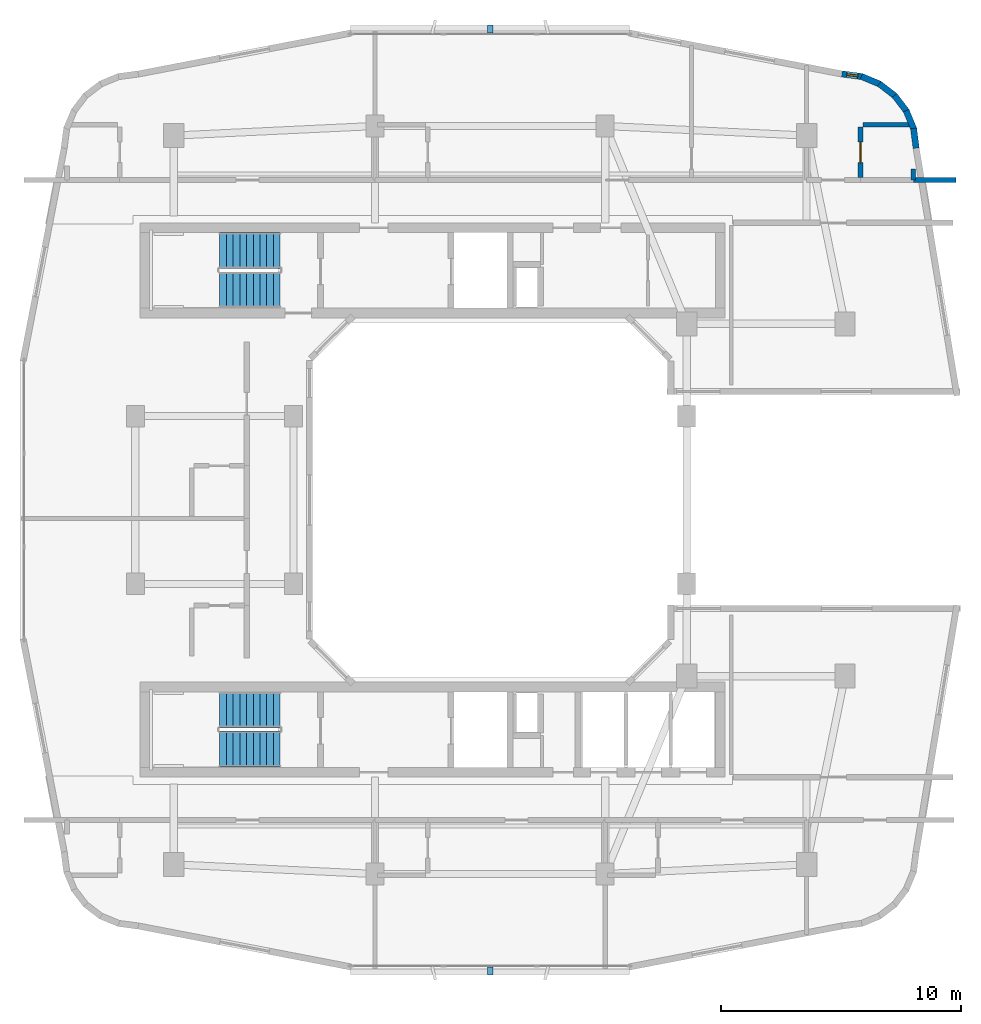
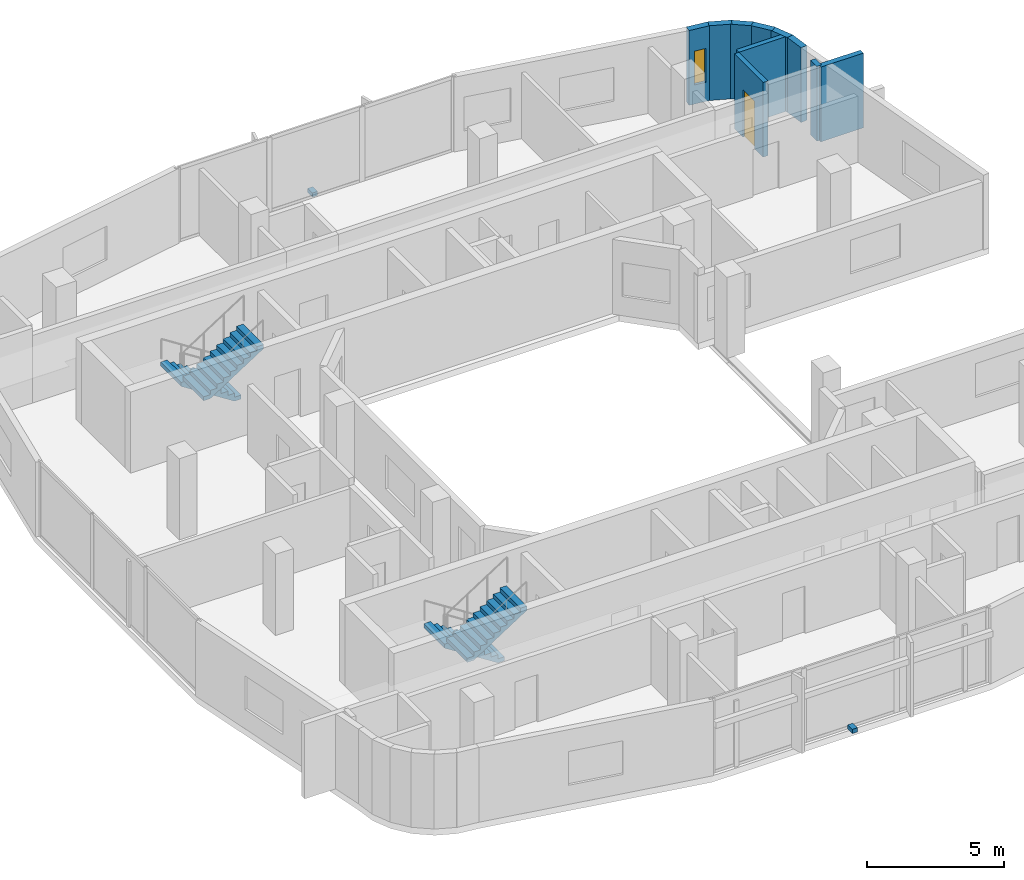
# One storey, part 8 of 12: 10 walls, 4 stair flights, 2 discrete accessories, 1 door, 1 window, 2 openings, 2 elements without a shape of their own.
"""IFC4 building model written with IfcOpenShell, lengths in metres."""

from ifc_helpers import new_model, si_unit, derived_unit, direction, frame, frame_2d, origin, origin_2d, place, context, subcontext, project, spatial, polyline, rectangle, outline, extrude, material, layer, layer_set, type_object, element, fill, aggregate, save


model = new_model("IFC4")

# Units and contexts
model_context = context("Model", 3, precision=1e-05, world=origin(), true_north=direction((0.0, 1.0)))
body_context = subcontext(model_context, "Body", "Model", "MODEL_VIEW")
ifc_project = project(units=[si_unit("LENGTHUNIT", "METRE"), si_unit("AREAUNIT", "SQUARE_METRE"), si_unit("VOLUMEUNIT", "CUBIC_METRE"), si_unit("PLANEANGLEUNIT", "RADIAN"), si_unit("MASSUNIT", "GRAM", prefix="KILO"), derived_unit("THERMALTRANSMITTANCEUNIT", [(si_unit("POWERUNIT", "WATT"), 1), (si_unit("LENGTHUNIT", "METRE"), -2), (si_unit("THERMODYNAMICTEMPERATUREUNIT", "KELVIN"), -1)])], contexts=[model_context])

# Site, building, storey
site_placement = place(None, origin())
site = spatial("IfcSite", under=ifc_project, at=site_placement, CompositionType="ELEMENT")
building_placement = place(site_placement, origin())
building = spatial("IfcBuilding", under=site, at=building_placement, Name="Kivonza Crest Hotel", CompositionType="ELEMENT")
storey_placement = place(building_placement, frame((0.0, 0.0, 184.699951171875)))
storey = spatial("IfcBuildingStorey", under=building, at=storey_placement, Name="L50", CompositionType="ELEMENT", Elevation=184.699951171875)

# Walls
ifc_material_1 = material(Name="Autoclaved aerated concrete blockwork", Category="masonry")
ifc_layer_1 = layer(ifc_material_1, 0.219970703125)
ifc_layer_set_1 = layer_set([ifc_layer_1], Name="Autoclaved aerated concrete blockwork")
wall_type_1 = type_object("IfcWallType", Name="WL-ACOU-220", PredefinedType="SOLIDWALL", material=ifc_layer_set_1)
wall_1_placement = place(storey_placement, frame((38.64990234375, 38.35009765625, 0.0), z_axis=(0.0, 0.0, 1.0), x_axis=(1.0, 0.0, 0.0)))
element("IfcWall", 1, at=wall_1_placement, inside=storey, type_object=wall_type_1, Name="L50 interior partition WA-L50-N03-XCORR", PredefinedType="SOLIDWALL", context=body_context, shape_type="SweptSolid", body=[
    extrude(rectangle(XDim=1.7900390625, YDim=0.219970703125, at=frame_2d((0.89501953125, 0.0))), origin(), (0.0, 0.0, 1.0), 3.320068359375),
])
ifc_material_2 = material(Name="Precast concrete C40/50", Category="concrete")
ifc_layer_2 = layer(ifc_material_2, 0.260009765625)
ifc_layer_set_2 = layer_set([ifc_layer_2], Name="Precast concrete C40/50")
wall_type_2 = type_object("IfcWallType", Name="WL-EXT-260", PredefinedType="STANDARD", material=ifc_layer_set_2)
wall_2_placement = place(storey_placement, frame((38.77197265625, 39.675048828125, 0.0), z_axis=(0.0, 0.0, 1.0), x_axis=(-0.130704676564, 0.99142134712, 0.0)))
element("IfcWall", 2, at=wall_2_placement, inside=storey, type_object=wall_type_2, Name="L50 T1 exterior insulated wall 29", PredefinedType="STANDARD", context=body_context, shape_type="SweptSolid", body=[
    extrude(rectangle(XDim=0.8330078125, YDim=0.260009765625, at=frame_2d((0.41650390625, 0.0))), origin(), (0.0, 0.0, 1.0), 3.320068359375),
])
wall_3_placement = place(storey_placement, frame((38.680908203125, 40.455078125, 0.0), z_axis=(0.0, 0.0, 1.0), x_axis=(-0.383086687796, 0.923712395518, 0.0)))
element("IfcWall", 3, at=wall_3_placement, inside=storey, type_object=wall_type_2, Name="L50 T1 exterior insulated wall 30", PredefinedType="STANDARD", context=body_context, shape_type="SweptSolid", body=[
    extrude(rectangle(XDim=0.850830078125, YDim=0.260009765625, at=frame_2d((0.42529296875, 0.0))), origin(), (0.0, 0.0, 1.0), 3.320068359375),
])
for number, where, z_axis, x_axis, name in (
    (4, (38.383056640625, 41.200927734375, 0.0), (0.0, 0.0, 1.0), (-0.608099977432, 0.793860452124, 0.0), "L50 T1 exterior insulated wall 31"),
    (5, (37.904052734375, 41.844970703125, 0.0), (0.0, 0.0, 1.0), (-0.793860452124, 0.608099977432, 0.0), "L50 T1 exterior insulated wall 32"),
):
    element("IfcWall", number, at=place(storey_placement, frame(where, z_axis=z_axis, x_axis=x_axis)), inside=storey, type_object=wall_type_2, Name=name, PredefinedType="STANDARD", context=body_context, shape_type="SweptSolid", body=[
        extrude(rectangle(XDim=0.850341796875, YDim=0.260009765625, at=frame_2d((0.42529296875, 0.0))), origin(), (0.0, 0.0, 1.0), 3.320068359375),
    ])
wall_4_placement = place(storey_placement, frame((37.27294921875, 42.341064453125, 0.0), z_axis=(0.0, 0.0, 1.0), x_axis=(-0.923712395518, 0.383086687796, 0.0)))
element("IfcWall", 6, at=wall_4_placement, inside=storey, type_object=wall_type_2, Name="L50 T1 exterior insulated wall 33", PredefinedType="STANDARD", context=body_context, shape_type="SweptSolid", body=[
    extrude(rectangle(XDim=0.850830078125, YDim=0.260009765625, at=frame_2d((0.42529296875, 0.0))), origin(), (0.0, 0.0, 1.0), 3.320068359375),
])

# Wall, opening, window
wall_5_placement = place(storey_placement, frame((36.535888671875, 42.658935546875, 0.0), z_axis=(0.0, 0.0, 1.0), x_axis=(-0.991488716273, 0.130192647656, 0.0)))
wall_5 = element("IfcWall", 7, at=wall_5_placement, inside=storey, type_object=wall_type_2, Name="L50 T1 exterior insulated wall 34", PredefinedType="STANDARD", context=body_context, shape_type="SweptSolid", body=[
    extrude(rectangle(XDim=0.8681640625, YDim=0.260009765625, at=frame_2d((0.43408203125, 0.0))), origin(), (0.0, 0.0, 1.0), 3.320068359375),
])
opening_1_placement = place(wall_5_placement, frame((0.208984375, 0.0, 0.85009765625)))
opening_1 = element("IfcOpeningElement", 8, at=opening_1_placement, cuts=wall_5, Name="Opening WN-11", PredefinedType="OPENING", context=body_context, shape_type="SweptSolid", body=[
    extrude(rectangle(XDim=0.449951171875, YDim=1.5, at=frame_2d((0.22509765625, 0.75))), frame((0.0, 0.14013671875, 0.0), z_axis=(0.0, -1.0, 0.0), x_axis=(1.0, 0.0, 0.0)), (0.0, 0.0, 1.0), 0.280029296875),
])
ifc_material_3 = material(Name="Thermally broken bronze aluminium and low-E double glazing", Category="aluminium")
window_type = type_object("IfcWindowType", Name="WN-045x150", PartitioningType="SINGLE_PANEL", PredefinedType="WINDOW", material=ifc_material_3)
window_placement = place(opening_1_placement, origin())
window = element("IfcWindow", 9, at=window_placement, inside=storey, type_object=window_type, Name="L50 corner vision window 1", OverallHeight=1.5, OverallWidth=0.449951171875, PartitioningType="SINGLE_PANEL", PredefinedType="WINDOW", context=body_context, shape_type="SweptSolid", body=[
    extrude(rectangle(XDim=0.449951171875, YDim=1.5, at=frame_2d((0.22509765625, 0.75))), frame((0.0, 0.030029296875, 0.0), z_axis=(0.0, -1.0, 0.0), x_axis=(1.0, 0.0, 0.0)), (0.0, 0.0, 1.0), 0.06005859375),
])
fill(opening_1, window)

# Wall, opening, door
ifc_material_4 = material(Name="Moisture-resistant plumbing chase partition wall", Category="gypsum")
ifc_layer_3 = layer(ifc_material_4, 0.199951171875)
ifc_layer_set_3 = layer_set([ifc_layer_3], Name="Moisture-resistant plumbing chase partition wall")
wall_type_3 = type_object("IfcWallType", Name="WL-PLUMB-200", PredefinedType="PLUMBINGWALL", material=ifc_layer_set_3)
wall_6_placement = place(storey_placement, frame((36.449951171875, 38.449951171875, 0.0), z_axis=(0.0, 0.0, 1.0), x_axis=(0.0, 1.0, 0.0)))
wall_6 = element("IfcWall", 10, at=wall_6_placement, inside=storey, type_object=wall_type_3, Name="L50 interior partition WW-L50-N03-BV", PredefinedType="PLUMBINGWALL", context=body_context, shape_type="SweptSolid", body=[
    extrude(rectangle(XDim=2.10009765625, YDim=0.199951171875, at=frame_2d((1.050048828125, 0.0))), origin(), (0.0, 0.0, 1.0), 3.320068359375),
])
opening_2_placement = place(wall_6_placement, frame((0.625, 0.0, 0.0)))
opening_2 = element("IfcOpeningElement", 11, at=opening_2_placement, cuts=wall_6, Name="Opening DI-85", PredefinedType="OPENING", context=body_context, shape_type="SweptSolid", body=[
    extrude(rectangle(XDim=0.85009765625, YDim=2.10009765625, at=frame_2d((0.425048828125, 1.050048828125))), frame((0.0, 0.10986328125, 0.0), z_axis=(0.0, -1.0, 0.0), x_axis=(1.0, 0.0, 0.0)), (0.0, 0.0, 1.0), 0.219970703125),
])
ifc_material_5 = material(Name="Hardwood timber oak", Category="wood")
door_type = type_object("IfcDoorType", Name="DR-INT-850", OperationType="NOTDEFINED", PredefinedType="DOOR", material=ifc_material_5)
door_placement = place(opening_2_placement, origin())
door = element("IfcDoor", 12, at=door_placement, inside=storey, type_object=door_type, Name="L50 N03 en-suite bathroom door", OperationType="SINGLE_SWING_RIGHT", OverallHeight=2.10009765625, OverallWidth=0.85009765625, PredefinedType="DOOR", context=body_context, shape_type="SweptSolid", body=[
    extrude(rectangle(XDim=0.85009765625, YDim=2.10009765625, at=frame_2d((0.425048828125, 1.050048828125))), frame((0.0, 0.02490234375, 0.0), z_axis=(0.0, -1.0, 0.0), x_axis=(1.0, 0.0, 0.0)), (0.0, 0.0, 1.0), 0.050048828125),
])
fill(opening_2, door)

# Walls
wall_7_placement = place(storey_placement, frame((36.550048828125, 40.64990234375, 0.0), z_axis=(0.0, 0.0, 1.0), x_axis=(1.0, 0.0, 0.0)))
element("IfcWall", 13, at=wall_7_placement, inside=storey, type_object=wall_type_3, Name="L50 interior partition WW-L50-N03-BH", PredefinedType="PLUMBINGWALL", context=body_context, shape_type="SweptSolid", body=[
    extrude(rectangle(XDim=2.0, YDim=0.199951171875, at=frame_2d((1.0, 0.0))), origin(), (0.0, 0.0, 1.0), 3.320068359375),
])
wall_8_placement = place(storey_placement, frame((38.64990234375, 38.35009765625, 0.0), z_axis=(0.0, 0.0, 1.0), x_axis=(0.0, 1.0, 0.0)))
element("IfcWall", 14, at=wall_8_placement, inside=storey, type_object=wall_type_3, Name="L50 interior partition WW-L50-N03-BVE", PredefinedType="PLUMBINGWALL", context=body_context, shape_type="SweptSolid", body=[
    extrude(rectangle(XDim=0.458984375, YDim=0.199951171875, at=frame_2d((0.2294921875, 0.0))), origin(), (0.0, 0.0, 1.0), 3.320068359375),
])

# Stair, stair flights
ifc_material_6 = material(Name="Concrete C40/50", Category="concrete")
stair_type = type_object("IfcStairType", Name="ST-DL-20R", PredefinedType="HALF_TURN_STAIR", material=ifc_material_6)
stair_1_placement = place(storey_placement, origin())
stair_1 = element("IfcStair", 15, at=stair_1_placement, inside=storey, type_object=stair_type, Name="L50 Protected Exit Stair ST-T1-N", PredefinedType="HALF_TURN_STAIR")
stair_flight_type = type_object("IfcStairFlightType", Name="SFL-RC-10R", PredefinedType="STRAIGHT", material=ifc_material_6)
stair_flight_1_placement = place(storey_placement, frame((12.239990234375, 35.409912109375, 0.0), z_axis=(0.0, 0.0, 1.0), x_axis=(-1.0, 0.0, 0.0)))
stair_flight_1 = element("IfcStairFlight", 16, at=stair_flight_1_placement, type_object=stair_flight_type, Name="ST-T1-N flight 1", NumberOfRisers=10, NumberOfTreads=9, PredefinedType="STRAIGHT", RiserHeight=0.18, TreadLength=0.28, context=body_context, shape_type="SweptSolid", body=[
    extrude(outline(polyline([(0.0, 0.0), (0.0, 0.179931640625), (0.280029296875, 0.179931640625), (0.280029296875, 0.360107421875), (0.56005859375, 0.360107421875), (0.56005859375, 0.5400390625), (0.840087890625, 0.5400390625), (0.840087890625, 0.719970703125), (1.1201171875, 0.719970703125), (1.1201171875, 0.89990234375), (1.39990234375, 0.89990234375), (1.39990234375, 1.080078125), (1.679931640625, 1.080078125), (1.679931640625, 1.260009765625), (1.9599609375, 1.260009765625), (1.9599609375, 1.43994140625), (2.239990234375, 1.43994140625), (2.239990234375, 1.6201171875), (2.52001953125, 1.6201171875), (2.52001953125, 1.800048828125), (2.52001953125, 1.44189453125), (0.277099609375, 0.0), (0.0, 0.0)])), frame((0.0, 0.75, 0.0), z_axis=(0.0, -1.0, 0.0), x_axis=(1.0, 0.0, 0.0)), (0.0, 0.0, 1.0), 1.5),
])
stair_flight_2_placement = place(storey_placement, frame((9.719970703125, 33.77001953125, 1.800048828125), z_axis=(0.0, 0.0, 1.0), x_axis=(1.0, 0.0, 0.0)))
stair_flight_2 = element("IfcStairFlight", 17, at=stair_flight_2_placement, type_object=stair_flight_type, Name="ST-T1-N flight 2", NumberOfRisers=10, NumberOfTreads=9, PredefinedType="STRAIGHT", RiserHeight=0.18, TreadLength=0.28, context=body_context, shape_type="SweptSolid", body=[
    extrude(outline(polyline([(0.0, 0.0), (0.0, 0.179931640625), (0.280029296875, 0.179931640625), (0.280029296875, 0.360107421875), (0.56005859375, 0.360107421875), (0.56005859375, 0.5400390625), (0.840087890625, 0.5400390625), (0.840087890625, 0.719970703125), (1.1201171875, 0.719970703125), (1.1201171875, 0.89990234375), (1.39990234375, 0.89990234375), (1.39990234375, 1.080078125), (1.679931640625, 1.080078125), (1.679931640625, 1.260009765625), (1.9599609375, 1.260009765625), (1.9599609375, 1.43994140625), (2.239990234375, 1.43994140625), (2.239990234375, 1.6201171875), (2.52001953125, 1.6201171875), (2.52001953125, 1.800048828125), (2.52001953125, 1.44189453125), (0.277099609375, 0.0), (0.0, 0.0)])), frame((0.0, 0.75, 0.0), z_axis=(0.0, -1.0, 0.0), x_axis=(1.0, 0.0, 0.0)), (0.0, 0.0, 1.0), 1.5),
])
aggregate(stair_1, [stair_flight_1, stair_flight_2])

stair_2_placement = place(storey_placement, origin())
stair_2 = element("IfcStair", 18, at=stair_2_placement, inside=storey, type_object=stair_type, Name="L50 Protected Exit Stair ST-T1-S", PredefinedType="HALF_TURN_STAIR")
stair_flight_3_placement = place(storey_placement, frame((12.239990234375, 16.25, 0.0), z_axis=(0.0, 0.0, 1.0), x_axis=(-1.0, 0.0, 0.0)))
stair_flight_3 = element("IfcStairFlight", 19, at=stair_flight_3_placement, type_object=stair_flight_type, Name="ST-T1-S flight 1", NumberOfRisers=10, NumberOfTreads=9, PredefinedType="STRAIGHT", RiserHeight=0.18, TreadLength=0.28, context=body_context, shape_type="SweptSolid", body=[
    extrude(outline(polyline([(0.0, 0.0), (0.0, 0.179931640625), (0.280029296875, 0.179931640625), (0.280029296875, 0.360107421875), (0.56005859375, 0.360107421875), (0.56005859375, 0.5400390625), (0.840087890625, 0.5400390625), (0.840087890625, 0.719970703125), (1.1201171875, 0.719970703125), (1.1201171875, 0.89990234375), (1.39990234375, 0.89990234375), (1.39990234375, 1.080078125), (1.679931640625, 1.080078125), (1.679931640625, 1.260009765625), (1.9599609375, 1.260009765625), (1.9599609375, 1.43994140625), (2.239990234375, 1.43994140625), (2.239990234375, 1.6201171875), (2.52001953125, 1.6201171875), (2.52001953125, 1.800048828125), (2.52001953125, 1.44189453125), (0.277099609375, 0.0), (0.0, 0.0)])), frame((0.0, 0.75, 0.0), z_axis=(0.0, -1.0, 0.0), x_axis=(1.0, 0.0, 0.0)), (0.0, 0.0, 1.0), 1.5),
])
stair_flight_4_placement = place(storey_placement, frame((9.719970703125, 14.610107421875, 1.800048828125), z_axis=(0.0, 0.0, 1.0), x_axis=(1.0, 0.0, 0.0)))
stair_flight_4 = element("IfcStairFlight", 20, at=stair_flight_4_placement, type_object=stair_flight_type, Name="ST-T1-S flight 2", NumberOfRisers=10, NumberOfTreads=9, PredefinedType="STRAIGHT", RiserHeight=0.18, TreadLength=0.28, context=body_context, shape_type="SweptSolid", body=[
    extrude(outline(polyline([(0.0, 0.0), (0.0, 0.179931640625), (0.280029296875, 0.179931640625), (0.280029296875, 0.360107421875), (0.56005859375, 0.360107421875), (0.56005859375, 0.5400390625), (0.840087890625, 0.5400390625), (0.840087890625, 0.719970703125), (1.1201171875, 0.719970703125), (1.1201171875, 0.89990234375), (1.39990234375, 0.89990234375), (1.39990234375, 1.080078125), (1.679931640625, 1.080078125), (1.679931640625, 1.260009765625), (1.9599609375, 1.260009765625), (1.9599609375, 1.43994140625), (2.239990234375, 1.43994140625), (2.239990234375, 1.6201171875), (2.52001953125, 1.6201171875), (2.52001953125, 1.800048828125), (2.52001953125, 1.44189453125), (0.277099609375, 0.0), (0.0, 0.0)])), frame((0.0, 0.75, 0.0), z_axis=(0.0, -1.0, 0.0), x_axis=(1.0, 0.0, 0.0)), (0.0, 0.0, 1.0), 1.5),
])
aggregate(stair_2, [stair_flight_3, stair_flight_4])

# Discrete accessories
ifc_material_7 = material(Name="Stainless steel 316", Category="steel")
discrete_accessory_type = type_object("IfcDiscreteAccessoryType", Name="AC-BRACKET-240", PredefinedType="BRACKET", material=ifc_material_7)
for number, where, z_axis, x_axis, name in (
    (21, (21.0, 5.360107421875, -0.009765625), (0.0, 0.0, 1.0), (1.0, 0.0, 0.0), "L50 terracotta baguette support bracket CW-T1-L50-08"),
    (22, (21.0, 44.639892578125, -0.009765625), (0.0, 0.0, 1.0), (-1.0, 0.0, 0.0), "L50 terracotta baguette support bracket CW-T1-L50-36"),
):
    element("IfcDiscreteAccessory", number, at=place(storey_placement, frame(where, z_axis=z_axis, x_axis=x_axis)), inside=storey, type_object=discrete_accessory_type, Name=name, PredefinedType="BRACKET", context=body_context, shape_type="SweptSolid", body=[
        extrude(rectangle(XDim=0.219970703125, YDim=0.340087890625, at=origin_2d()), origin(), (0.0, 0.0, 1.0), 0.179931640625),
    ])

save(model, "model.ifc")
